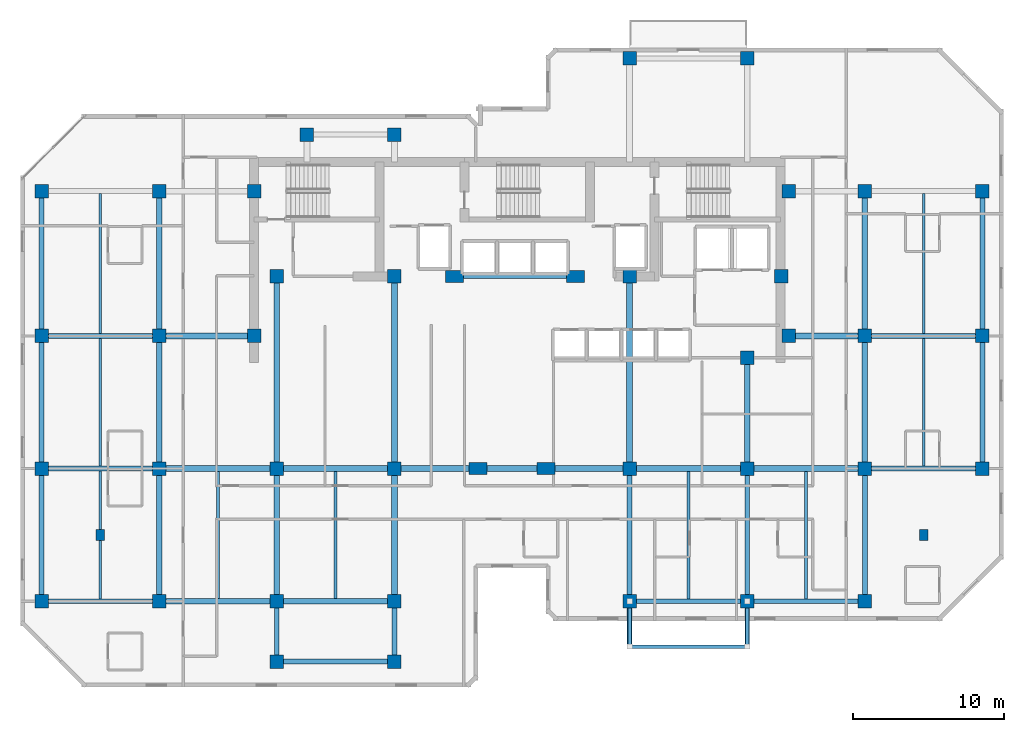
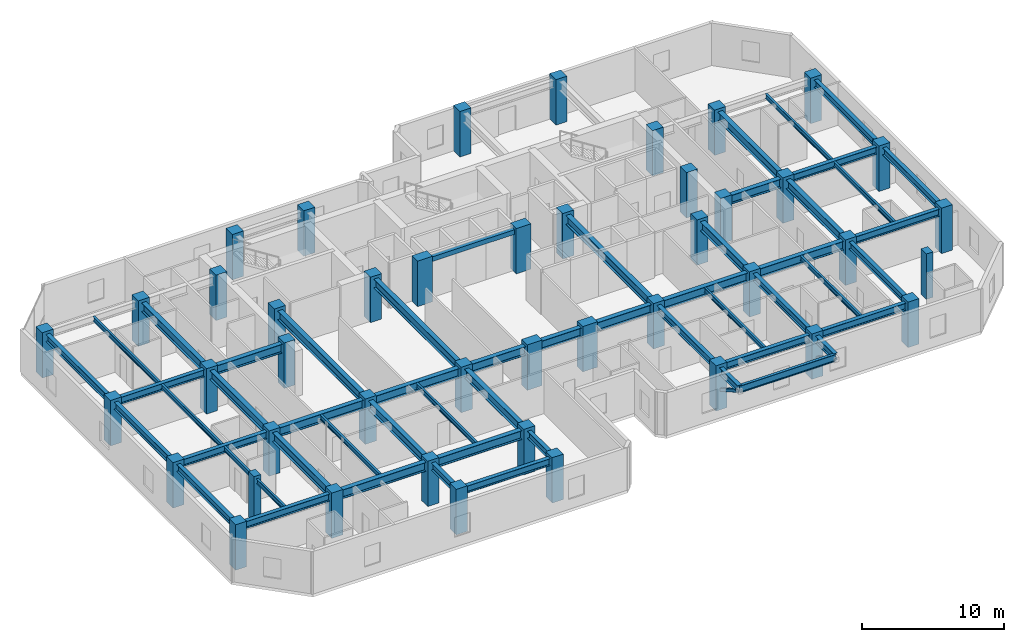
# One storey, part 1 of 10: 53 beams, 44 columns, 2 members.
"""IFC4 building model written with IfcOpenShell, lengths in metres."""

from ifc_helpers import new_model, si_unit, direction, frame, origin, origin_2d, place, context, subcontext, project, spatial, rectangle, hollow_rectangle, i_section, extrude, material, material_profile, profile_set, type_object, element, save


model = new_model("IFC4")

# Units and contexts
model_context = context("Model", 3, precision=1e-05, world=origin(), true_north=direction((0.0, 1.0)))
body_context = subcontext(model_context, "Body", "Model", "MODEL_VIEW")
ifc_project = project(units=[si_unit("LENGTHUNIT", "METRE"), si_unit("AREAUNIT", "SQUARE_METRE"), si_unit("VOLUMEUNIT", "CUBIC_METRE"), si_unit("PLANEANGLEUNIT", "RADIAN"), si_unit("MASSUNIT", "GRAM", prefix="KILO")], contexts=[model_context])

# Site, building, storey
site_placement = place(None, origin())
site = spatial("IfcSite", under=ifc_project, at=site_placement, CompositionType="ELEMENT")
building_placement = place(site_placement, origin())
building = spatial("IfcBuilding", under=site, at=building_placement, Name="Kestravale Grand Hotel", CompositionType="ELEMENT")
storey_placement = place(building_placement, frame((0.0, 0.0, 224.10009765625)))
storey = spatial("IfcBuildingStorey", under=building, at=storey_placement, Name="L56", CompositionType="ELEMENT", Elevation=224.10009765625)

# Columns
ifc_material_1 = material(Name="Concrete f'c 60 MPa", Category="concrete")
ifc_material_profile_1 = material_profile(ifc_material_1, rectangle(XDim=1.199951171875, YDim=0.800048828125, at=origin_2d()))
ifc_profile_set_1 = profile_set([ifc_material_profile_1], Name="Concrete f'c 60 MPa")
column_type_1 = type_object("IfcColumnType", Name="C-Z3-1200X800", PredefinedType="COLUMN", material=ifc_profile_set_1)
for number, where, z_axis, x_axis, name in (
    (1, (36.75, 20.0, 0.0), (0.0, 0.0, 1.0), (1.0, 0.0, 0.0), "L56 column 6-D"),
    (2, (41.25, 20.0, 0.0), (0.0, 0.0, 1.0), (1.0, 0.0, 0.0), "L56 column 7-D"),
    (3, (35.199951171875, 32.75, 0.0), (0.0, 0.0, 1.0), (1.0, 0.0, 0.0), "L56 column 6C-CS"),
    (4, (43.199951171875, 32.75, 0.0), (0.0, 0.0, 1.0), (1.0, 0.0, 0.0), "L56 column 7C-CS"),
):
    element("IfcColumn", number, at=place(storey_placement, frame(where, z_axis=z_axis, x_axis=x_axis)), inside=storey, type_object=column_type_1, Name=name, PredefinedType="COLUMN", context=body_context, shape_type="SweptSolid", body=[
        extrude(rectangle(XDim=1.199951171875, YDim=0.800048828125, at=origin_2d()), origin(), (0.0, 0.0, 1.0), 3.89990234375),
    ])
ifc_material_2 = material(Name="Precast concrete f'c 45 MPa", Category="concrete")
ifc_material_profile_2 = material_profile(ifc_material_2, rectangle(XDim=0.550048828125, YDim=0.75, at=origin_2d()))
ifc_profile_set_2 = profile_set([ifc_material_profile_2], Name="Precast concrete f'c 45 MPa")
column_type_2 = type_object("IfcColumnType", Name="C-Z3-PIL750", PredefinedType="PILASTER", material=ifc_profile_set_2)
for number, where, z_axis, x_axis, name in (
    (5, (11.699951171875, 15.60009765625, 0.0), (0.0, 0.0, 1.0), (1.0, 0.0, 0.0), "L56 Art Deco fluted pilaster P1"),
    (6, (66.300048828125, 15.60009765625, 0.0), (0.0, 0.0, 1.0), (1.0, 0.0, 0.0), "L56 Art Deco fluted pilaster P2"),
):
    element("IfcColumn", number, at=place(storey_placement, frame(where, z_axis=z_axis, x_axis=x_axis)), inside=storey, type_object=column_type_2, Name=name, PredefinedType="PILASTER", context=body_context, shape_type="SweptSolid", body=[
        extrude(rectangle(XDim=0.550048828125, YDim=0.75, at=origin_2d()), origin(), (0.0, 0.0, 1.0), 3.89990234375),
    ])
ifc_material_3 = material(Name="Concrete f'c 50 MPa", Category="concrete")
ifc_material_profile_3 = material_profile(ifc_material_3, rectangle(XDim=0.89990234375, YDim=0.89990234375, at=origin_2d()))
ifc_profile_set_3 = profile_set([ifc_material_profile_3], Name="Concrete f'c 50 MPa")
column_type_3 = type_object("IfcColumnType", Name="C-Z4-900", PredefinedType="COLUMN", material=ifc_profile_set_3)
for number, where, z_axis, x_axis, name in (
    (7, (7.800048828125, 11.199951171875, 0.0), (0.0, 0.0, 1.0), (1.0, 0.0, 0.0), "L56 column 2-C"),
    (8, (7.800048828125, 20.0, 0.0), (0.0, 0.0, 1.0), (1.0, 0.0, 0.0), "L56 column 2-D"),
    (9, (7.800048828125, 28.800048828125, 0.0), (0.0, 0.0, 1.0), (1.0, 0.0, 0.0), "L56 column 2-E"),
    (10, (7.800048828125, 38.39990234375, 0.0), (0.0, 0.0, 1.0), (1.0, 0.0, 0.0), "L56 column 2-F"),
    (11, (15.60009765625, 11.199951171875, 0.0), (0.0, 0.0, 1.0), (1.0, 0.0, 0.0), "L56 column 3-C"),
    (12, (15.60009765625, 20.0, 0.0), (0.0, 0.0, 1.0), (1.0, 0.0, 0.0), "L56 column 3-D"),
    (13, (15.60009765625, 28.800048828125, 0.0), (0.0, 0.0, 1.0), (1.0, 0.0, 0.0), "L56 column 3-E"),
    (14, (15.60009765625, 38.39990234375, 0.0), (0.0, 0.0, 1.0), (1.0, 0.0, 0.0), "L56 column 3-F"),
    (15, (23.39990234375, 11.199951171875, 0.0), (0.0, 0.0, 1.0), (1.0, 0.0, 0.0), "L56 column 4-C"),
    (16, (23.39990234375, 20.0, 0.0), (0.0, 0.0, 1.0), (1.0, 0.0, 0.0), "L56 column 4-D"),
    (17, (31.199951171875, 11.199951171875, 0.0), (0.0, 0.0, 1.0), (1.0, 0.0, 0.0), "L56 column 5-C"),
    (18, (31.199951171875, 20.0, 0.0), (0.0, 0.0, 1.0), (1.0, 0.0, 0.0), "L56 column 5-D"),
    (19, (46.800048828125, 11.199951171875, 0.0), (0.0, 0.0, 1.0), (1.0, 0.0, 0.0), "L56 column 8-C"),
    (20, (46.800048828125, 20.0, 0.0), (0.0, 0.0, 1.0), (1.0, 0.0, 0.0), "L56 column 8-D"),
    (21, (46.800048828125, 47.199951171875, 0.0), (0.0, 0.0, 1.0), (1.0, 0.0, 0.0), "L56 column 8-G"),
    (22, (54.60009765625, 11.199951171875, 0.0), (0.0, 0.0, 1.0), (1.0, 0.0, 0.0), "L56 column 9-C"),
    (23, (54.60009765625, 20.0, 0.0), (0.0, 0.0, 1.0), (1.0, 0.0, 0.0), "L56 column 9-D"),
    (24, (54.60009765625, 47.199951171875, 0.0), (0.0, 0.0, 1.0), (1.0, 0.0, 0.0), "L56 column 9-G"),
    (25, (62.39990234375, 11.199951171875, 0.0), (0.0, 0.0, 1.0), (1.0, 0.0, 0.0), "L56 column 10-C"),
    (26, (62.39990234375, 20.0, 0.0), (0.0, 0.0, 1.0), (1.0, 0.0, 0.0), "L56 column 10-D"),
    (27, (62.39990234375, 28.800048828125, 0.0), (0.0, 0.0, 1.0), (1.0, 0.0, 0.0), "L56 column 10-E"),
    (28, (62.39990234375, 38.39990234375, 0.0), (0.0, 0.0, 1.0), (1.0, 0.0, 0.0), "L56 column 10-F"),
    (29, (70.199951171875, 20.0, 0.0), (0.0, 0.0, 1.0), (1.0, 0.0, 0.0), "L56 column 11-D"),
    (30, (70.199951171875, 28.800048828125, 0.0), (0.0, 0.0, 1.0), (1.0, 0.0, 0.0), "L56 column 11-E"),
    (31, (70.199951171875, 38.39990234375, 0.0), (0.0, 0.0, 1.0), (1.0, 0.0, 0.0), "L56 column 11-F"),
    (32, (21.89990234375, 28.800048828125, 0.0), (0.0, 0.0, 1.0), (1.0, 0.0, 0.0), "L56 column CW-E"),
    (33, (21.89990234375, 38.39990234375, 0.0), (0.0, 0.0, 1.0), (1.0, 0.0, 0.0), "L56 column CW-F"),
    (34, (57.35009765625, 28.800048828125, 0.0), (0.0, 0.0, 1.0), (1.0, 0.0, 0.0), "L56 column CE-E"),
    (35, (57.35009765625, 38.39990234375, 0.0), (0.0, 0.0, 1.0), (1.0, 0.0, 0.0), "L56 column CE-F"),
    (36, (23.39990234375, 32.75, 0.0), (0.0, 0.0, 1.0), (1.0, 0.0, 0.0), "L56 column 4-CS"),
    (37, (31.199951171875, 32.75, 0.0), (0.0, 0.0, 1.0), (1.0, 0.0, 0.0), "L56 column 5-CS"),
    (38, (46.800048828125, 32.75, 0.0), (0.0, 0.0, 1.0), (1.0, 0.0, 0.0), "L56 column 8-CS"),
    (39, (54.60009765625, 27.35009765625, 0.0), (0.0, 0.0, 1.0), (1.0, 0.0, 0.0), "L56 column 9-CS"),
    (40, (56.85009765625, 32.75, 0.0), (0.0, 0.0, 1.0), (1.0, 0.0, 0.0), "L56 column 9C-CS"),
    (41, (23.39990234375, 7.199951171875, 0.0), (0.0, 0.0, 1.0), (1.0, 0.0, 0.0), "L56 column 4-BS"),
    (42, (31.199951171875, 7.199951171875, 0.0), (0.0, 0.0, 1.0), (1.0, 0.0, 0.0), "L56 column 5-BS"),
    (43, (25.39990234375, 42.14990234375, 0.0), (0.0, 0.0, 1.0), (1.0, 0.0, 0.0), "L56 column 4-FN"),
    (44, (31.199951171875, 42.14990234375, 0.0), (0.0, 0.0, 1.0), (1.0, 0.0, 0.0), "L56 column 5-FN"),
):
    element("IfcColumn", number, at=place(storey_placement, frame(where, z_axis=z_axis, x_axis=x_axis)), inside=storey, type_object=column_type_3, Name=name, PredefinedType="COLUMN", context=body_context, shape_type="SweptSolid", body=[
        extrude(rectangle(XDim=0.89990234375, YDim=0.89990234375, at=origin_2d()), origin(), (0.0, 0.0, 1.0), 3.89990234375),
    ])

# Beams
ifc_material_4 = material(Name="Steel ASTM A992 Grade 50", Category="steel")
ifc_material_profile_4 = material_profile(ifc_material_4, i_section(OverallWidth=0.177978515625, OverallDepth=0.404052734375, WebThickness=0.007568359375, FlangeThickness=0.010986328125, FilletRadius=0.01416015625, at=origin_2d()))
ifc_profile_set_4 = profile_set([ifc_material_profile_4], Name="Steel ASTM A992 Grade 50")
beam_type_1 = type_object("IfcBeamType", Name="B-FLR-JST16", PredefinedType="JOIST", material=ifc_profile_set_4)
for number, where, z_axis, x_axis, name in (
    (45, (11.699951171875, 11.362548828125, 3.447998046875), (0.0, 1.0, 0.0), (-1.0, 0.0, 0.0), "L56 floor joist 2-3/C-D #1"),
    (46, (11.699951171875, 20.16259765625, 3.447998046875), (0.0, 1.0, 0.0), (-1.0, 0.0, 0.0), "L56 floor joist 2-3/D-E #1"),
):
    element("IfcBeam", number, at=place(storey_placement, frame(where, z_axis=z_axis, x_axis=x_axis)), inside=storey, type_object=beam_type_1, Name=name, PredefinedType="JOIST", context=body_context, shape_type="SweptSolid", body=[
        extrude(i_section(OverallWidth=0.177978515625, OverallDepth=0.404052734375, WebThickness=0.007568359375, FlangeThickness=0.010986328125, FilletRadius=0.01416015625, at=origin_2d()), origin(), (0.0, 0.0, 1.0), 8.474853515625),
    ])
beam_1_placement = place(storey_placement, frame((11.699951171875, 28.96240234375, 3.447998046875), z_axis=(0.0, 1.0, 0.0), x_axis=(-1.0, 0.0, 0.0)))
element("IfcBeam", 47, at=beam_1_placement, inside=storey, type_object=beam_type_1, Name="L56 floor joist 2-3/E-F #1", PredefinedType="JOIST", context=body_context, shape_type="SweptSolid", body=[
    extrude(i_section(OverallWidth=0.177978515625, OverallDepth=0.404052734375, WebThickness=0.007568359375, FlangeThickness=0.010986328125, FilletRadius=0.01416015625, at=origin_2d()), origin(), (0.0, 0.0, 1.0), 9.275146484375),
])
for number, where, z_axis, x_axis, name in (
    (48, (19.5, 11.390380859375, 3.447998046875), (0.0, 1.0, 0.0), (-1.0, 0.0, 0.0), "L56 floor joist 3-4/C-D #1"),
    (49, (27.300048828125, 11.390380859375, 3.447998046875), (0.0, 1.0, 0.0), (-1.0, 0.0, 0.0), "L56 floor joist 4-5/C-D #1"),
):
    element("IfcBeam", number, at=place(storey_placement, frame(where, z_axis=z_axis, x_axis=x_axis)), inside=storey, type_object=beam_type_1, Name=name, PredefinedType="JOIST", context=body_context, shape_type="SweptSolid", body=[
        extrude(i_section(OverallWidth=0.177978515625, OverallDepth=0.404052734375, WebThickness=0.007568359375, FlangeThickness=0.010986328125, FilletRadius=0.01416015625, at=origin_2d()), origin(), (0.0, 0.0, 1.0), 8.419189453125),
    ])
for number, where, z_axis, x_axis, name in (
    (50, (50.699951171875, 11.362548828125, 3.447998046875), (0.0, 1.0, 0.0), (-1.0, 0.0, 0.0), "L56 floor joist 8-9/C-D #1"),
    (51, (58.5, 11.362548828125, 3.447998046875), (0.0, 1.0, 0.0), (-1.0, 0.0, 0.0), "L56 floor joist 9-10/C-D #1"),
):
    element("IfcBeam", number, at=place(storey_placement, frame(where, z_axis=z_axis, x_axis=x_axis)), inside=storey, type_object=beam_type_1, Name=name, PredefinedType="JOIST", context=body_context, shape_type="SweptSolid", body=[
        extrude(i_section(OverallWidth=0.177978515625, OverallDepth=0.404052734375, WebThickness=0.007568359375, FlangeThickness=0.010986328125, FilletRadius=0.01416015625, at=origin_2d()), origin(), (0.0, 0.0, 1.0), 8.447021484375),
    ])
beam_2_placement = place(storey_placement, frame((66.300048828125, 20.16259765625, 3.447998046875), z_axis=(0.0, 1.0, 0.0), x_axis=(-1.0, 0.0, 0.0)))
element("IfcBeam", 52, at=beam_2_placement, inside=storey, type_object=beam_type_1, Name="L56 floor joist 10-11/D-E #1", PredefinedType="JOIST", context=body_context, shape_type="SweptSolid", body=[
    extrude(i_section(OverallWidth=0.177978515625, OverallDepth=0.404052734375, WebThickness=0.007568359375, FlangeThickness=0.010986328125, FilletRadius=0.01416015625, at=origin_2d()), origin(), (0.0, 0.0, 1.0), 8.474853515625),
])
beam_3_placement = place(storey_placement, frame((66.300048828125, 28.96240234375, 3.447998046875), z_axis=(0.0, 1.0, 0.0), x_axis=(-1.0, 0.0, 0.0)))
element("IfcBeam", 53, at=beam_3_placement, inside=storey, type_object=beam_type_1, Name="L56 floor joist 10-11/E-F #1", PredefinedType="JOIST", context=body_context, shape_type="SweptSolid", body=[
    extrude(i_section(OverallWidth=0.177978515625, OverallDepth=0.404052734375, WebThickness=0.007568359375, FlangeThickness=0.010986328125, FilletRadius=0.01416015625, at=origin_2d()), origin(), (0.0, 0.0, 1.0), 9.275146484375),
])
ifc_material_5 = material(Name="Concrete f'c 45 MPa", Category="concrete")
ifc_material_profile_5 = material_profile(ifc_material_5, rectangle(XDim=0.300048828125, YDim=0.39990234375, at=origin_2d()))
ifc_profile_set_5 = profile_set([ifc_material_profile_5], Name="Concrete f'c 45 MPa")
beam_type_2 = type_object("IfcBeamType", Name="B-FLR-LNT400", PredefinedType="LINTEL", material=ifc_profile_set_5)
beam_4_placement = place(storey_placement, frame((35.199951171875, 32.75, 3.449951171875), z_axis=(1.0, 0.0, 0.0), x_axis=(0.0, 1.0, 0.0)))
element("IfcBeam", 54, at=beam_4_placement, inside=storey, type_object=beam_type_2, Name="L56 core portal header lintel", PredefinedType="LINTEL", context=body_context, shape_type="SweptSolid", body=[
    extrude(rectangle(XDim=0.300048828125, YDim=0.39990234375, at=origin_2d()), origin(), (0.0, 0.0, 1.0), 8.0),
])
ifc_material_6 = material(Name="Steel ASTM A992 Grade 50", Category="steel")
ifc_material_profile_6 = material_profile(ifc_material_6, i_section(OverallWidth=0.324951171875, OverallDepth=0.612060546875, WebThickness=0.0126953125, FlangeThickness=0.01904296875, FilletRadius=0.018798828125, at=origin_2d()))
ifc_profile_set_6 = profile_set([ifc_material_profile_6], Name="Steel ASTM A992 Grade 50")
beam_type_3 = type_object("IfcBeamType", Name="B-FLR-W24A", PredefinedType="SPANDREL", material=ifc_profile_set_6)
for number, where, z_axis, x_axis, name in (
    (55, (7.800048828125, 11.199951171875, 3.343994140625), (1.0, 0.0, 0.0), (0.0, 1.0, 0.0), "L56 spandrel C:2-3"),
    (56, (46.800048828125, 11.199951171875, 3.343994140625), (1.0, 0.0, 0.0), (0.0, 1.0, 0.0), "L56 spandrel C:8-9"),
):
    element("IfcBeam", number, at=place(storey_placement, frame(where, z_axis=z_axis, x_axis=x_axis)), inside=storey, type_object=beam_type_3, Name=name, PredefinedType="SPANDREL", context=body_context, shape_type="SweptSolid", body=[
        extrude(i_section(OverallWidth=0.324951171875, OverallDepth=0.612060546875, WebThickness=0.0126953125, FlangeThickness=0.01904296875, FilletRadius=0.018798828125, at=origin_2d()), origin(), (0.0, 0.0, 1.0), 7.800048828125),
    ])
beam_5_placement = place(storey_placement, frame((54.60009765625, 11.199951171875, 3.343994140625), z_axis=(1.0, 0.0, 0.0), x_axis=(0.0, 1.0, 0.0)))
element("IfcBeam", 57, at=beam_5_placement, inside=storey, type_object=beam_type_3, Name="L56 spandrel C:9-10", PredefinedType="SPANDREL", context=body_context, shape_type="SweptSolid", body=[
    extrude(i_section(OverallWidth=0.324951171875, OverallDepth=0.612060546875, WebThickness=0.0126953125, FlangeThickness=0.01904296875, FilletRadius=0.018798828125, at=origin_2d()), origin(), (0.0, 0.0, 1.0), 7.7998046875),
])
for number, where, z_axis, x_axis, name in (
    (58, (7.800048828125, 20.0, 3.343994140625), (1.0, 0.0, 0.0), (0.0, 1.0, 0.0), "L56 spandrel D:2-3"),
    (59, (62.39990234375, 20.0, 3.343994140625), (1.0, 0.0, 0.0), (0.0, 1.0, 0.0), "L56 spandrel D:10-11"),
    (60, (7.800048828125, 28.800048828125, 3.343994140625), (1.0, 0.0, 0.0), (0.0, 1.0, 0.0), "L56 spandrel E:2-3"),
    (61, (62.39990234375, 28.800048828125, 3.343994140625), (1.0, 0.0, 0.0), (0.0, 1.0, 0.0), "L56 spandrel E:10-11"),
    (62, (23.39990234375, 7.199951171875, 3.343994140625), (1.0, 0.0, 0.0), (0.0, 1.0, 0.0), "L56 perimeter tie spandrel BS:4-5"),
):
    element("IfcBeam", number, at=place(storey_placement, frame(where, z_axis=z_axis, x_axis=x_axis)), inside=storey, type_object=beam_type_3, Name=name, PredefinedType="SPANDREL", context=body_context, shape_type="SweptSolid", body=[
        extrude(i_section(OverallWidth=0.324951171875, OverallDepth=0.612060546875, WebThickness=0.0126953125, FlangeThickness=0.01904296875, FilletRadius=0.018798828125, at=origin_2d()), origin(), (0.0, 0.0, 1.0), 7.800048828125),
    ])
for number, where, z_axis, x_axis, name in (
    (63, (7.800048828125, 11.199951171875, 3.343994140625), (0.0, 1.0, 0.0), (-1.0, 0.0, 0.0), "L56 spandrel 2:C-D"),
    (64, (7.800048828125, 20.0, 3.343994140625), (0.0, 1.0, 0.0), (-1.0, 0.0, 0.0), "L56 spandrel 2:D-E"),
):
    element("IfcBeam", number, at=place(storey_placement, frame(where, z_axis=z_axis, x_axis=x_axis)), inside=storey, type_object=beam_type_3, Name=name, PredefinedType="SPANDREL", context=body_context, shape_type="SweptSolid", body=[
        extrude(i_section(OverallWidth=0.324951171875, OverallDepth=0.612060546875, WebThickness=0.0126953125, FlangeThickness=0.01904296875, FilletRadius=0.018798828125, at=origin_2d()), origin(), (0.0, 0.0, 1.0), 8.800048828125),
    ])
beam_6_placement = place(storey_placement, frame((7.800048828125, 28.800048828125, 3.343994140625), z_axis=(0.0, 1.0, 0.0), x_axis=(-1.0, 0.0, 0.0)))
element("IfcBeam", 65, at=beam_6_placement, inside=storey, type_object=beam_type_3, Name="L56 spandrel 2:E-F", PredefinedType="SPANDREL", context=body_context, shape_type="SweptSolid", body=[
    extrude(i_section(OverallWidth=0.324951171875, OverallDepth=0.612060546875, WebThickness=0.0126953125, FlangeThickness=0.01904296875, FilletRadius=0.018798828125, at=origin_2d()), origin(), (0.0, 0.0, 1.0), 9.599853515625),
])
for number, where, z_axis, x_axis, name in (
    (66, (23.39990234375, 7.199951171875, 3.343994140625), (0.0, 1.0, 0.0), (-1.0, 0.0, 0.0), "L56 spandrel 4:BS-C"),
    (67, (31.199951171875, 7.199951171875, 3.343994140625), (0.0, 1.0, 0.0), (-1.0, 0.0, 0.0), "L56 spandrel 5:BS-C"),
):
    element("IfcBeam", number, at=place(storey_placement, frame(where, z_axis=z_axis, x_axis=x_axis)), inside=storey, type_object=beam_type_3, Name=name, PredefinedType="SPANDREL", context=body_context, shape_type="SweptSolid", body=[
        extrude(i_section(OverallWidth=0.324951171875, OverallDepth=0.612060546875, WebThickness=0.0126953125, FlangeThickness=0.01904296875, FilletRadius=0.018798828125, at=origin_2d()), origin(), (0.0, 0.0, 1.0), 4.0),
    ])
for number, where, z_axis, x_axis, name in (
    (68, (46.800048828125, 11.199951171875, 3.343994140625), (0.0, 1.0, 0.0), (-1.0, 0.0, 0.0), "L56 spandrel 8:C-D"),
    (69, (54.60009765625, 11.199951171875, 3.343994140625), (0.0, 1.0, 0.0), (-1.0, 0.0, 0.0), "L56 spandrel 9:C-D"),
    (70, (62.39990234375, 11.199951171875, 3.343994140625), (0.0, 1.0, 0.0), (-1.0, 0.0, 0.0), "L56 spandrel 10:C-D"),
    (71, (70.199951171875, 20.0, 3.343994140625), (0.0, 1.0, 0.0), (-1.0, 0.0, 0.0), "L56 spandrel 11:D-E"),
):
    element("IfcBeam", number, at=place(storey_placement, frame(where, z_axis=z_axis, x_axis=x_axis)), inside=storey, type_object=beam_type_3, Name=name, PredefinedType="SPANDREL", context=body_context, shape_type="SweptSolid", body=[
        extrude(i_section(OverallWidth=0.324951171875, OverallDepth=0.612060546875, WebThickness=0.0126953125, FlangeThickness=0.01904296875, FilletRadius=0.018798828125, at=origin_2d()), origin(), (0.0, 0.0, 1.0), 8.800048828125),
    ])
beam_7_placement = place(storey_placement, frame((70.199951171875, 28.800048828125, 3.343994140625), z_axis=(0.0, 1.0, 0.0), x_axis=(-1.0, 0.0, 0.0)))
element("IfcBeam", 72, at=beam_7_placement, inside=storey, type_object=beam_type_3, Name="L56 spandrel 11:E-F", PredefinedType="SPANDREL", context=body_context, shape_type="SweptSolid", body=[
    extrude(i_section(OverallWidth=0.324951171875, OverallDepth=0.612060546875, WebThickness=0.0126953125, FlangeThickness=0.01904296875, FilletRadius=0.018798828125, at=origin_2d()), origin(), (0.0, 0.0, 1.0), 9.599853515625),
])
for number, where, z_axis, x_axis, name in (
    (73, (46.800048828125, 11.199951171875, 3.323974609375), (0.0, -1.0, 0.0), (1.0, 0.0, 0.0), "L57 terrace cantilever beam 1"),
    (74, (54.60009765625, 11.199951171875, 3.323974609375), (0.0, -1.0, 0.0), (1.0, 0.0, 0.0), "L57 terrace cantilever beam 2"),
):
    element("IfcBeam", number, at=place(storey_placement, frame(where, z_axis=z_axis, x_axis=x_axis)), inside=storey, type_object=beam_type_3, Name=name, PredefinedType="SPANDREL", context=body_context, shape_type="SweptSolid", body=[
        extrude(i_section(OverallWidth=0.324951171875, OverallDepth=0.612060546875, WebThickness=0.0126953125, FlangeThickness=0.01904296875, FilletRadius=0.018798828125, at=origin_2d()), origin(), (0.0, 0.0, 1.0), 3.0),
    ])
ifc_material_7 = material(Name="Steel ASTM A992 Grade 50", Category="steel")
ifc_material_profile_7 = material_profile(ifc_material_7, i_section(OverallWidth=0.22900390625, OverallDepth=0.612060546875, WebThickness=0.011962890625, FlangeThickness=0.01953125, FilletRadius=0.019287109375, at=origin_2d()))
ifc_profile_set_7 = profile_set([ifc_material_profile_7], Name="Steel ASTM A992 Grade 50")
beam_type_4 = type_object("IfcBeamType", Name="B-FLR-W24B", PredefinedType="SPANDREL", material=ifc_profile_set_7)
beam_8_placement = place(storey_placement, frame((46.800048828125, 8.199951171875, 3.323974609375), z_axis=(1.0, 0.0, 0.0), x_axis=(0.0, 1.0, 0.0)))
element("IfcBeam", 75, at=beam_8_placement, inside=storey, type_object=beam_type_4, Name="L57 terrace edge spandrel", PredefinedType="SPANDREL", context=body_context, shape_type="SweptSolid", body=[
    extrude(i_section(OverallWidth=0.22900390625, OverallDepth=0.612060546875, WebThickness=0.011962890625, FlangeThickness=0.01953125, FilletRadius=0.019287109375, at=origin_2d()), origin(), (0.0, 0.0, 1.0), 7.800048828125),
])
ifc_material_8 = material(Name="Steel ASTM A992 Grade 50", Category="steel")
ifc_material_profile_8 = material_profile(ifc_material_8, i_section(OverallWidth=0.381103515625, OverallDepth=0.77197265625, WebThickness=0.0166015625, FlangeThickness=0.027099609375, FilletRadius=0.023681640625, at=origin_2d()))
ifc_profile_set_8 = profile_set([ifc_material_profile_8], Name="Steel ASTM A992 Grade 50")
beam_type_5 = type_object("IfcBeamType", Name="B-GRD-W30", PredefinedType="BEAM", material=ifc_profile_set_8)
beam_9_placement = place(storey_placement, frame((15.60009765625, 11.199951171875, 3.263916015625), z_axis=(1.0, 0.0, 0.0), x_axis=(0.0, 1.0, 0.0)))
element("IfcBeam", 76, at=beam_9_placement, inside=storey, type_object=beam_type_5, Name="L56 girder C:3-4", PredefinedType="BEAM", context=body_context, shape_type="SweptSolid", body=[
    extrude(i_section(OverallWidth=0.381103515625, OverallDepth=0.77197265625, WebThickness=0.0166015625, FlangeThickness=0.027099609375, FilletRadius=0.023681640625, at=origin_2d()), origin(), (0.0, 0.0, 1.0), 7.7998046875),
])
beam_10_placement = place(storey_placement, frame((23.39990234375, 11.199951171875, 3.263916015625), z_axis=(1.0, 0.0, 0.0), x_axis=(0.0, 1.0, 0.0)))
element("IfcBeam", 77, at=beam_10_placement, inside=storey, type_object=beam_type_5, Name="L56 girder C:4-5", PredefinedType="BEAM", context=body_context, shape_type="SweptSolid", body=[
    extrude(i_section(OverallWidth=0.381103515625, OverallDepth=0.77197265625, WebThickness=0.0166015625, FlangeThickness=0.027099609375, FilletRadius=0.023681640625, at=origin_2d()), origin(), (0.0, 0.0, 1.0), 7.800048828125),
])
beam_11_placement = place(storey_placement, frame((15.60009765625, 20.0, 3.263916015625), z_axis=(1.0, 0.0, 0.0), x_axis=(0.0, 1.0, 0.0)))
element("IfcBeam", 78, at=beam_11_placement, inside=storey, type_object=beam_type_5, Name="L56 girder D:3-4", PredefinedType="BEAM", context=body_context, shape_type="SweptSolid", body=[
    extrude(i_section(OverallWidth=0.381103515625, OverallDepth=0.77197265625, WebThickness=0.0166015625, FlangeThickness=0.027099609375, FilletRadius=0.023681640625, at=origin_2d()), origin(), (0.0, 0.0, 1.0), 7.7998046875),
])
beam_12_placement = place(storey_placement, frame((23.39990234375, 20.0, 3.263916015625), z_axis=(1.0, 0.0, 0.0), x_axis=(0.0, 1.0, 0.0)))
element("IfcBeam", 79, at=beam_12_placement, inside=storey, type_object=beam_type_5, Name="L56 girder D:4-5", PredefinedType="BEAM", context=body_context, shape_type="SweptSolid", body=[
    extrude(i_section(OverallWidth=0.381103515625, OverallDepth=0.77197265625, WebThickness=0.0166015625, FlangeThickness=0.027099609375, FilletRadius=0.023681640625, at=origin_2d()), origin(), (0.0, 0.0, 1.0), 7.800048828125),
])
beam_13_placement = place(storey_placement, frame((31.199951171875, 20.0, 3.263916015625), z_axis=(1.0, 0.0, 0.0), x_axis=(0.0, 1.0, 0.0)))
element("IfcBeam", 80, at=beam_13_placement, inside=storey, type_object=beam_type_5, Name="L56 girder D:5-6", PredefinedType="BEAM", context=body_context, shape_type="SweptSolid", body=[
    extrude(i_section(OverallWidth=0.381103515625, OverallDepth=0.77197265625, WebThickness=0.0166015625, FlangeThickness=0.027099609375, FilletRadius=0.023681640625, at=origin_2d()), origin(), (0.0, 0.0, 1.0), 5.550048828125),
])
beam_14_placement = place(storey_placement, frame((36.75, 20.0, 3.263916015625), z_axis=(1.0, 0.0, 0.0), x_axis=(0.0, 1.0, 0.0)))
element("IfcBeam", 81, at=beam_14_placement, inside=storey, type_object=beam_type_5, Name="L56 girder D:6-7", PredefinedType="BEAM", context=body_context, shape_type="SweptSolid", body=[
    extrude(i_section(OverallWidth=0.381103515625, OverallDepth=0.77197265625, WebThickness=0.0166015625, FlangeThickness=0.027099609375, FilletRadius=0.023681640625, at=origin_2d()), origin(), (0.0, 0.0, 1.0), 4.5),
])
beam_15_placement = place(storey_placement, frame((41.25, 20.0, 3.263916015625), z_axis=(1.0, 0.0, 0.0), x_axis=(0.0, 1.0, 0.0)))
element("IfcBeam", 82, at=beam_15_placement, inside=storey, type_object=beam_type_5, Name="L56 girder D:7-8", PredefinedType="BEAM", context=body_context, shape_type="SweptSolid", body=[
    extrude(i_section(OverallWidth=0.381103515625, OverallDepth=0.77197265625, WebThickness=0.0166015625, FlangeThickness=0.027099609375, FilletRadius=0.023681640625, at=origin_2d()), origin(), (0.0, 0.0, 1.0), 5.550048828125),
])
beam_16_placement = place(storey_placement, frame((46.800048828125, 20.0, 3.263916015625), z_axis=(1.0, 0.0, 0.0), x_axis=(0.0, 1.0, 0.0)))
element("IfcBeam", 83, at=beam_16_placement, inside=storey, type_object=beam_type_5, Name="L56 girder D:8-9", PredefinedType="BEAM", context=body_context, shape_type="SweptSolid", body=[
    extrude(i_section(OverallWidth=0.381103515625, OverallDepth=0.77197265625, WebThickness=0.0166015625, FlangeThickness=0.027099609375, FilletRadius=0.023681640625, at=origin_2d()), origin(), (0.0, 0.0, 1.0), 7.800048828125),
])
beam_17_placement = place(storey_placement, frame((54.60009765625, 20.0, 3.263916015625), z_axis=(1.0, 0.0, 0.0), x_axis=(0.0, 1.0, 0.0)))
element("IfcBeam", 84, at=beam_17_placement, inside=storey, type_object=beam_type_5, Name="L56 girder D:9-10", PredefinedType="BEAM", context=body_context, shape_type="SweptSolid", body=[
    extrude(i_section(OverallWidth=0.381103515625, OverallDepth=0.77197265625, WebThickness=0.0166015625, FlangeThickness=0.027099609375, FilletRadius=0.023681640625, at=origin_2d()), origin(), (0.0, 0.0, 1.0), 7.7998046875),
])
beam_18_placement = place(storey_placement, frame((15.60009765625, 28.800048828125, 3.263916015625), z_axis=(1.0, 0.0, 0.0), x_axis=(0.0, 1.0, 0.0)))
element("IfcBeam", 85, at=beam_18_placement, inside=storey, type_object=beam_type_5, Name="L56 girder E:3-CW", PredefinedType="BEAM", context=body_context, shape_type="SweptSolid", body=[
    extrude(i_section(OverallWidth=0.381103515625, OverallDepth=0.77197265625, WebThickness=0.0166015625, FlangeThickness=0.027099609375, FilletRadius=0.023681640625, at=origin_2d()), origin(), (0.0, 0.0, 1.0), 6.2998046875),
])
beam_19_placement = place(storey_placement, frame((57.35009765625, 28.800048828125, 3.263916015625), z_axis=(1.0, 0.0, 0.0), x_axis=(0.0, 1.0, 0.0)))
element("IfcBeam", 86, at=beam_19_placement, inside=storey, type_object=beam_type_5, Name="L56 girder E:CE-10", PredefinedType="BEAM", context=body_context, shape_type="SweptSolid", body=[
    extrude(i_section(OverallWidth=0.381103515625, OverallDepth=0.77197265625, WebThickness=0.0166015625, FlangeThickness=0.027099609375, FilletRadius=0.023681640625, at=origin_2d()), origin(), (0.0, 0.0, 1.0), 5.0498046875),
])
for number, where, z_axis, x_axis, name in (
    (87, (15.60009765625, 11.199951171875, 3.263916015625), (0.0, 1.0, 0.0), (-1.0, 0.0, 0.0), "L56 girder 3:C-D"),
    (88, (15.60009765625, 20.0, 3.263916015625), (0.0, 1.0, 0.0), (-1.0, 0.0, 0.0), "L56 girder 3:D-E"),
):
    element("IfcBeam", number, at=place(storey_placement, frame(where, z_axis=z_axis, x_axis=x_axis)), inside=storey, type_object=beam_type_5, Name=name, PredefinedType="BEAM", context=body_context, shape_type="SweptSolid", body=[
        extrude(i_section(OverallWidth=0.381103515625, OverallDepth=0.77197265625, WebThickness=0.0166015625, FlangeThickness=0.027099609375, FilletRadius=0.023681640625, at=origin_2d()), origin(), (0.0, 0.0, 1.0), 8.800048828125),
    ])
beam_20_placement = place(storey_placement, frame((15.60009765625, 28.800048828125, 3.263916015625), z_axis=(0.0, 1.0, 0.0), x_axis=(-1.0, 0.0, 0.0)))
element("IfcBeam", 89, at=beam_20_placement, inside=storey, type_object=beam_type_5, Name="L56 girder 3:E-F", PredefinedType="BEAM", context=body_context, shape_type="SweptSolid", body=[
    extrude(i_section(OverallWidth=0.381103515625, OverallDepth=0.77197265625, WebThickness=0.0166015625, FlangeThickness=0.027099609375, FilletRadius=0.023681640625, at=origin_2d()), origin(), (0.0, 0.0, 1.0), 9.599853515625),
])
beam_21_placement = place(storey_placement, frame((23.39990234375, 11.199951171875, 3.263916015625), z_axis=(0.0, 1.0, 0.0), x_axis=(-1.0, 0.0, 0.0)))
element("IfcBeam", 90, at=beam_21_placement, inside=storey, type_object=beam_type_5, Name="L56 girder 4:C-D", PredefinedType="BEAM", context=body_context, shape_type="SweptSolid", body=[
    extrude(i_section(OverallWidth=0.381103515625, OverallDepth=0.77197265625, WebThickness=0.0166015625, FlangeThickness=0.027099609375, FilletRadius=0.023681640625, at=origin_2d()), origin(), (0.0, 0.0, 1.0), 8.800048828125),
])
beam_22_placement = place(storey_placement, frame((23.39990234375, 20.0, 3.263916015625), z_axis=(0.0, 1.0, 0.0), x_axis=(-1.0, 0.0, 0.0)))
element("IfcBeam", 91, at=beam_22_placement, inside=storey, type_object=beam_type_5, Name="L56 girder 4:D-CS", PredefinedType="BEAM", context=body_context, shape_type="SweptSolid", body=[
    extrude(i_section(OverallWidth=0.381103515625, OverallDepth=0.77197265625, WebThickness=0.0166015625, FlangeThickness=0.027099609375, FilletRadius=0.023681640625, at=origin_2d()), origin(), (0.0, 0.0, 1.0), 12.75),
])
beam_23_placement = place(storey_placement, frame((31.199951171875, 11.199951171875, 3.263916015625), z_axis=(0.0, 1.0, 0.0), x_axis=(-1.0, 0.0, 0.0)))
element("IfcBeam", 92, at=beam_23_placement, inside=storey, type_object=beam_type_5, Name="L56 girder 5:C-D", PredefinedType="BEAM", context=body_context, shape_type="SweptSolid", body=[
    extrude(i_section(OverallWidth=0.381103515625, OverallDepth=0.77197265625, WebThickness=0.0166015625, FlangeThickness=0.027099609375, FilletRadius=0.023681640625, at=origin_2d()), origin(), (0.0, 0.0, 1.0), 8.800048828125),
])
for number, where, z_axis, x_axis, name in (
    (93, (31.199951171875, 20.0, 3.263916015625), (0.0, 1.0, 0.0), (-1.0, 0.0, 0.0), "L56 girder 5:D-CS"),
    (94, (46.800048828125, 20.0, 3.263916015625), (0.0, 1.0, 0.0), (-1.0, 0.0, 0.0), "L56 girder 8:D-CS"),
):
    element("IfcBeam", number, at=place(storey_placement, frame(where, z_axis=z_axis, x_axis=x_axis)), inside=storey, type_object=beam_type_5, Name=name, PredefinedType="BEAM", context=body_context, shape_type="SweptSolid", body=[
        extrude(i_section(OverallWidth=0.381103515625, OverallDepth=0.77197265625, WebThickness=0.0166015625, FlangeThickness=0.027099609375, FilletRadius=0.023681640625, at=origin_2d()), origin(), (0.0, 0.0, 1.0), 12.75),
    ])
beam_24_placement = place(storey_placement, frame((54.60009765625, 20.0, 3.263916015625), z_axis=(0.0, 1.0, 0.0), x_axis=(-1.0, 0.0, 0.0)))
element("IfcBeam", 95, at=beam_24_placement, inside=storey, type_object=beam_type_5, Name="L56 girder 9:D-CS", PredefinedType="BEAM", context=body_context, shape_type="SweptSolid", body=[
    extrude(i_section(OverallWidth=0.381103515625, OverallDepth=0.77197265625, WebThickness=0.0166015625, FlangeThickness=0.027099609375, FilletRadius=0.023681640625, at=origin_2d()), origin(), (0.0, 0.0, 1.0), 7.35009765625),
])
beam_25_placement = place(storey_placement, frame((62.39990234375, 20.0, 3.263916015625), z_axis=(0.0, 1.0, 0.0), x_axis=(-1.0, 0.0, 0.0)))
element("IfcBeam", 96, at=beam_25_placement, inside=storey, type_object=beam_type_5, Name="L56 girder 10:D-E", PredefinedType="BEAM", context=body_context, shape_type="SweptSolid", body=[
    extrude(i_section(OverallWidth=0.381103515625, OverallDepth=0.77197265625, WebThickness=0.0166015625, FlangeThickness=0.027099609375, FilletRadius=0.023681640625, at=origin_2d()), origin(), (0.0, 0.0, 1.0), 8.800048828125),
])
beam_26_placement = place(storey_placement, frame((62.39990234375, 28.800048828125, 3.263916015625), z_axis=(0.0, 1.0, 0.0), x_axis=(-1.0, 0.0, 0.0)))
element("IfcBeam", 97, at=beam_26_placement, inside=storey, type_object=beam_type_5, Name="L56 girder 10:E-F", PredefinedType="BEAM", context=body_context, shape_type="SweptSolid", body=[
    extrude(i_section(OverallWidth=0.381103515625, OverallDepth=0.77197265625, WebThickness=0.0166015625, FlangeThickness=0.027099609375, FilletRadius=0.023681640625, at=origin_2d()), origin(), (0.0, 0.0, 1.0), 9.599853515625),
])

# Members
ifc_material_9 = material(Name="Steel ASTM A500 Grade C", Category="steel")
ifc_material_profile_9 = material_profile(ifc_material_9, hollow_rectangle(XDim=0.25, YDim=0.25, WallThickness=0.011962890625, InnerFilletRadius=0.011962890625, OuterFilletRadius=0.02392578125, at=origin_2d()))
ifc_profile_set_9 = profile_set([ifc_material_profile_9], Name="Steel ASTM A500 Grade C")
member_type = type_object("IfcMemberType", Name="M-BLT-STR250", PredefinedType="STRUT", material=ifc_profile_set_9)
for number, where, z_axis, x_axis, name in (
    (98, (46.800048828125, 11.199951171875, 1.473876953125), (0.0, -0.870028259722, 0.493001853226), (1.0, 0.0, 0.0), "L57 terrace knee-brace strut 1"),
    (99, (54.60009765625, 11.199951171875, 1.473876953125), (0.0, -0.870028259722, 0.493001853226), (1.0, 0.0, 0.0), "L57 terrace knee-brace strut 2"),
):
    element("IfcMember", number, at=place(storey_placement, frame(where, z_axis=z_axis, x_axis=x_axis)), inside=storey, type_object=member_type, Name=name, PredefinedType="STRUT", context=body_context, shape_type="SweptSolid", body=[
        extrude(hollow_rectangle(XDim=0.25, YDim=0.25, WallThickness=0.011962890625, InnerFilletRadius=0.011962890625, OuterFilletRadius=0.02392578125, at=origin_2d()), origin(), (0.0, 0.0, 1.0), 3.4482421875),
    ])

save(model, "model.ifc")
